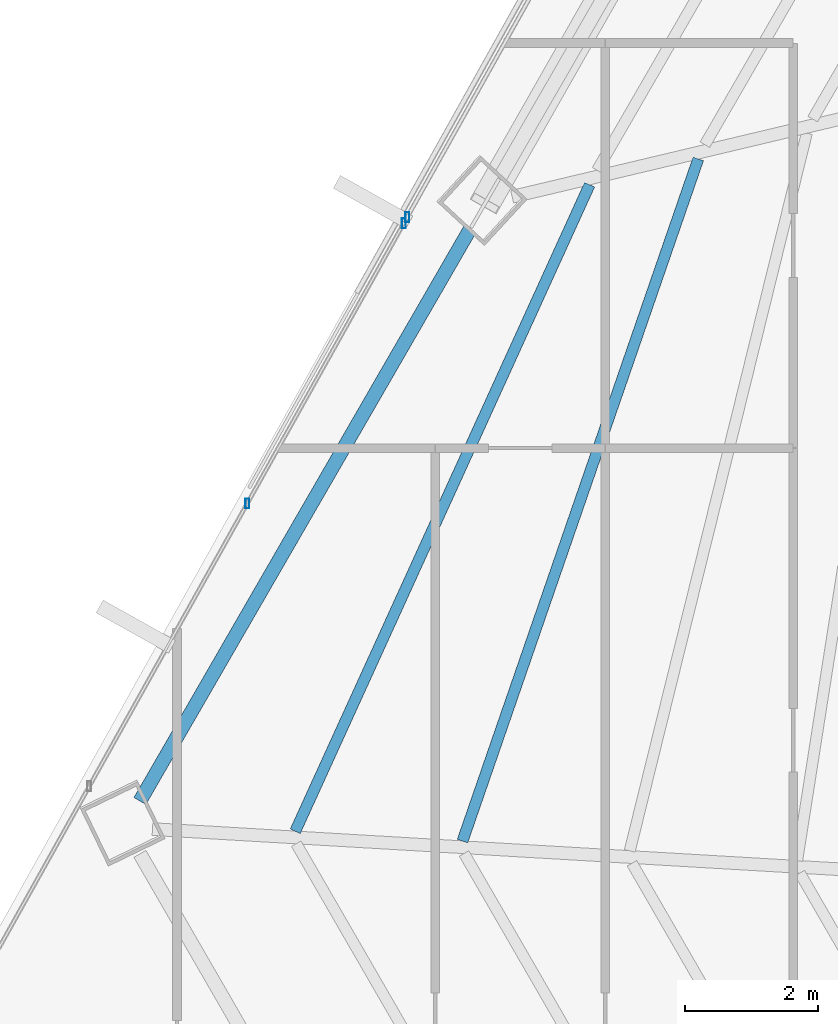
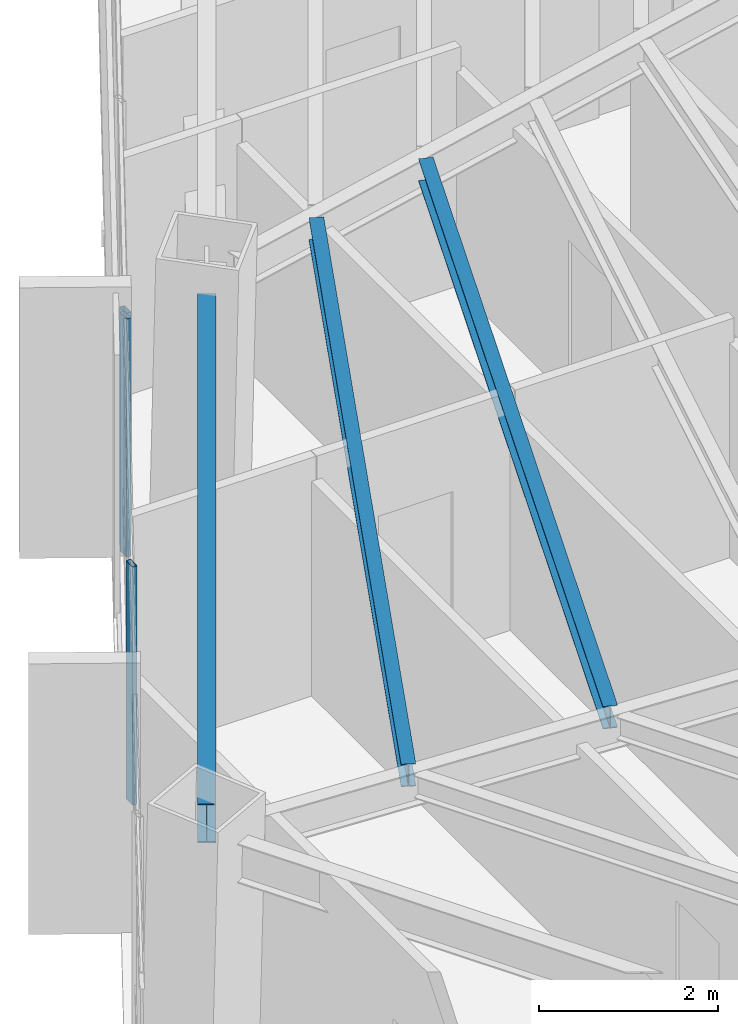
# One storey, part 12 of 40: 3 beams, 3 members, 2 elements without a shape of their own.
"""IFC4 building model written with IfcOpenShell, lengths in metres."""

from ifc_helpers import new_model, si_unit, direction, frame, origin, origin_2d, place, context, subcontext, project, spatial, hollow_rectangle, i_section, extrude, source, transform, mapped, material, material_profile, profile_set, type_object, type_shapes, element, aggregate, save


model = new_model("IFC4")

# Units and contexts
model_context = context("Model", 3, precision=1e-05, world=origin(), true_north=direction((0.0, 1.0)))
body_context = subcontext(model_context, "Body", "Model", "MODEL_VIEW")
ifc_project = project(units=[si_unit("LENGTHUNIT", "METRE"), si_unit("AREAUNIT", "SQUARE_METRE"), si_unit("VOLUMEUNIT", "CUBIC_METRE"), si_unit("PLANEANGLEUNIT", "RADIAN"), si_unit("MASSUNIT", "GRAM", prefix="KILO")], contexts=[model_context])

# Site, building, storey
site_placement = place(None, origin())
site = spatial("IfcSite", under=ifc_project, at=site_placement, CompositionType="ELEMENT")
building_placement = place(site_placement, origin())
building = spatial("IfcBuilding", under=site, at=building_placement, Name="Caelisora Broadcast Tower", CompositionType="ELEMENT")
storey_placement = place(building_placement, frame((0.0, 0.0, 146.39990234375)))
storey = spatial("IfcBuildingStorey", under=building, at=storey_placement, Name="L38", CompositionType="ELEMENT", Elevation=146.39990234375)

# Beams
ifc_material_1 = material(Name="Steel Grade 350 (AS/NZS 3679.1)", Category="steel")
ifc_material_profile_1 = material_profile(ifc_material_1, i_section(OverallWidth=0.166015625, OverallDepth=0.30712890625, WebThickness=0.006591796875, FlangeThickness=0.01171875, at=origin_2d()), Name="Steel Grade 350 (AS/NZS 3679.1)")
ifc_profile_set_1 = profile_set([ifc_material_profile_1], Name="Steel Grade 350 (AS/NZS 3679.1)")
beam_type_1 = type_object("IfcBeamType", Name="SB03", PredefinedType="JOIST", material=ifc_profile_set_1)
shared_shape_1 = source(origin(), body_context, "Body", "SweptSolid", [
    extrude(i_section(OverallWidth=0.166015625, OverallDepth=0.30712890625, WebThickness=0.006591796875, FlangeThickness=0.01171875, at=origin_2d()), origin(), (0.0, 0.0, 1.0), 10.697265625),
])
beam_1_placement = place(storey_placement, frame((22.333740234375, 27.96533203125, 3.096435546875), z_axis=(-0.414372028289, -0.91010758824, 0.0), x_axis=(0.91010758824, -0.414372028289, 0.0)))
element("IfcBeam", 1, at=beam_1_placement, inside=storey, type_object=beam_type_1, Name="L38 beam SB03", PredefinedType="JOIST", context=body_context, shape_type="MappedRepresentation", body=[
    mapped(shared_shape_1, transform((0.0, 0.0, 0.0), scale=1.0)),
])
ifc_material_profile_2 = material_profile(ifc_material_1, i_section(OverallWidth=0.208984375, OverallDepth=0.532958984375, WebThickness=0.01025390625, FlangeThickness=0.015625, at=origin_2d()), Name="Steel Grade 350 (AS/NZS 3679.1)")
ifc_profile_set_2 = profile_set([ifc_material_profile_2], Name="Steel Grade 350 (AS/NZS 3679.1)")
beam_type_2 = type_object("IfcBeamType", Name="PG05", PredefinedType="BEAM", material=ifc_profile_set_2)
shared_shape_2 = source(origin(), body_context, "Body", "SweptSolid", [
    extrude(i_section(OverallWidth=0.208984375, OverallDepth=0.532958984375, WebThickness=0.01025390625, FlangeThickness=0.015625, at=origin_2d()), origin(), (0.0, 0.0, 1.0), 9.934326171875),
])
type_shapes(beam_type_2, [shared_shape_2])
beam_2_placement = place(storey_placement, frame((20.529296875, 27.288818359375, 2.983642578125), z_axis=(-0.500013894896, -0.866017381414, 0.0), x_axis=(0.866017381414, -0.500013894896, 0.0)))
element("IfcBeam", 2, at=beam_2_placement, inside=storey, type_object=beam_type_2, Name="L38 beam PG05", PredefinedType="BEAM", context=body_context, shape_type="MappedRepresentation", body=[
    mapped(shared_shape_2, transform((0.0, 0.0, 0.0), scale=1.0)),
])
shared_shape_3 = source(origin(), body_context, "Body", "SweptSolid", [
    extrude(i_section(OverallWidth=0.166015625, OverallDepth=0.30712890625, WebThickness=0.006591796875, FlangeThickness=0.01171875, at=origin_2d()), origin(), (0.0, 0.0, 1.0), 10.8681640625),
])
type_shapes(beam_type_1, [shared_shape_1, shared_shape_3])
beam_3_placement = place(storey_placement, frame((23.97021484375, 28.35400390625, 3.096435546875), z_axis=(-0.32671473164, -0.945122999471, 0.0), x_axis=(0.945122999471, -0.32671473164, 0.0)))
element("IfcBeam", 3, at=beam_3_placement, inside=storey, type_object=beam_type_1, Name="L38 beam SB03", PredefinedType="JOIST", context=body_context, shape_type="MappedRepresentation", body=[
    mapped(shared_shape_3, transform((0.0, 0.0, 0.0), scale=1.0)),
])

# Curtain wall, members
ifc_material_2 = material(Name="Unitised Aluminium and Low-E Glass Curtain Wall", Category="glass")
curtain_wall_type_1 = type_object("IfcCurtainWallType", Name="CW-Z3", PredefinedType="NOTDEFINED", material=ifc_material_2)
curtain_wall_1_placement = place(storey_placement, origin())
curtain_wall_1 = element("IfcCurtainWall", 4, at=curtain_wall_1_placement, inside=storey, type_object=curtain_wall_type_1, Name="L38 curtain wall CW-Z3", PredefinedType="NOTDEFINED")
ifc_material_3 = material(Name="Aluminium 6063-T6 Anodised Terracotta Bronze", Category="aluminium")
ifc_material_profile_3 = material_profile(ifc_material_3, hollow_rectangle(XDim=0.06005859375, YDim=0.14990234375, WallThickness=0.00341796875, at=origin_2d()), Name="Aluminium 6063-T6 Anodised Terracotta Bronze")
ifc_profile_set_3 = profile_set([ifc_material_profile_3], Name="Aluminium 6063-T6 Anodised Terracotta Bronze")
member_type = type_object("IfcMemberType", Name="CWM-03", PredefinedType="MULLION", material=ifc_profile_set_3)
shared_shape_4 = source(origin(), body_context, "Body", "SweptSolid", [
    extrude(hollow_rectangle(XDim=0.06005859375, YDim=0.14990234375, WallThickness=0.00341796875, at=origin_2d()), origin(), (0.0, 0.0, 1.0), 3.25),
])
type_shapes(member_type, [shared_shape_4])
member_1_placement = place(storey_placement, frame((17.1787109375, 23.16552734375, 0.0), z_axis=(0.0, 0.0, 1.0), x_axis=(1.0, 0.0, 0.0)))
member_1 = element("IfcMember", 5, at=member_1_placement, type_object=member_type, Name="L38-CW-B09 mullion #2", PredefinedType="MULLION", context=body_context, shape_type="MappedRepresentation", body=[
    mapped(shared_shape_4, transform((0.0, 0.0, 0.0), scale=1.0)),
])
member_2_placement = place(storey_placement, frame((19.53515625, 27.383056640625, 0.0), z_axis=(0.0, 0.0, 1.0), x_axis=(1.0, 0.0, 0.0)))
member_2 = element("IfcMember", 6, at=member_2_placement, type_object=member_type, Name="L38-CW-B09 mullion #3", PredefinedType="MULLION", context=body_context, shape_type="MappedRepresentation", body=[
    mapped(shared_shape_4, transform((0.0, 0.0, 0.0), scale=1.0)),
])
aggregate(curtain_wall_1, [member_1, member_2])

# Curtain wall, member
ifc_material_4 = material(Name="Unitised Aluminium Insulated Shadow-Box Spandrel Curtain Wall", Category="aluminium")
curtain_wall_type_2 = type_object("IfcCurtainWallType", Name="CW-SP2", PredefinedType="NOTDEFINED", material=ifc_material_4)
curtain_wall_2_placement = place(storey_placement, origin())
curtain_wall_2 = element("IfcCurtainWall", 7, at=curtain_wall_2_placement, inside=storey, type_object=curtain_wall_type_2, Name="L38 curtain wall CW-SP2", PredefinedType="NOTDEFINED")
member_3_placement = place(storey_placement, frame((19.588623046875, 27.47900390625, 0.0), z_axis=(0.0, 0.0, 1.0), x_axis=(1.0, 0.0, 0.0)))
member_3 = element("IfcMember", 8, at=member_3_placement, type_object=member_type, Name="L38-CW-B10 mullion #0", PredefinedType="MULLION", context=body_context, shape_type="MappedRepresentation", body=[
    mapped(shared_shape_4, transform((0.0, 0.0, 0.0), scale=1.0)),
])
aggregate(curtain_wall_2, [member_3])

save(model, "model.ifc")
